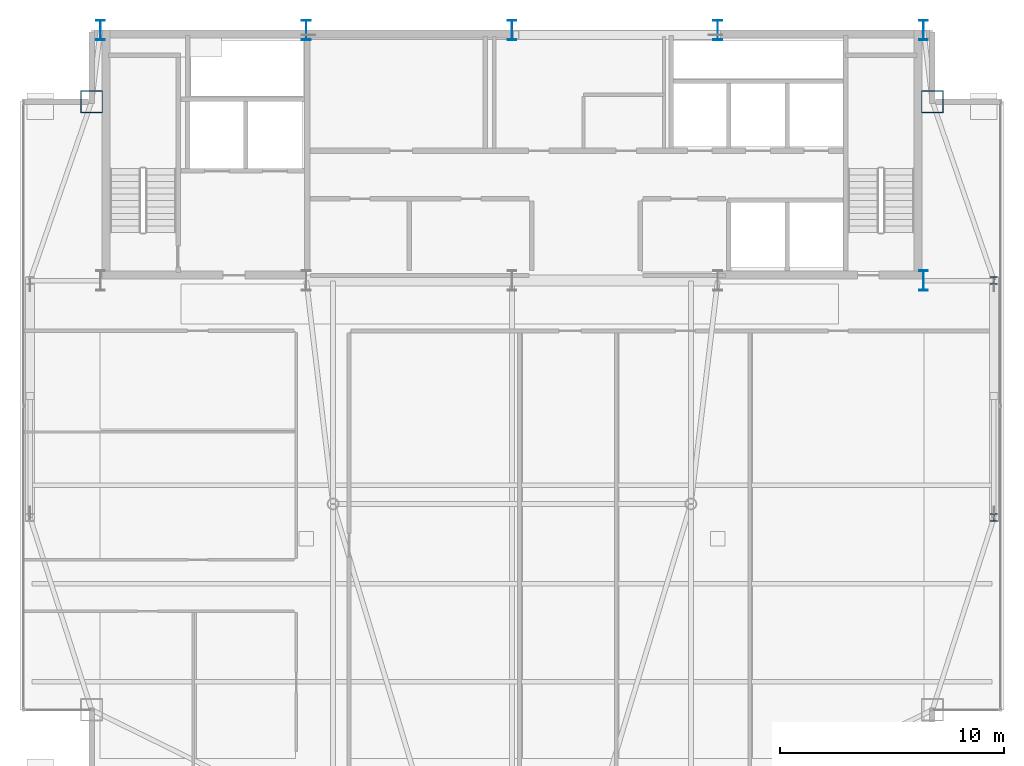
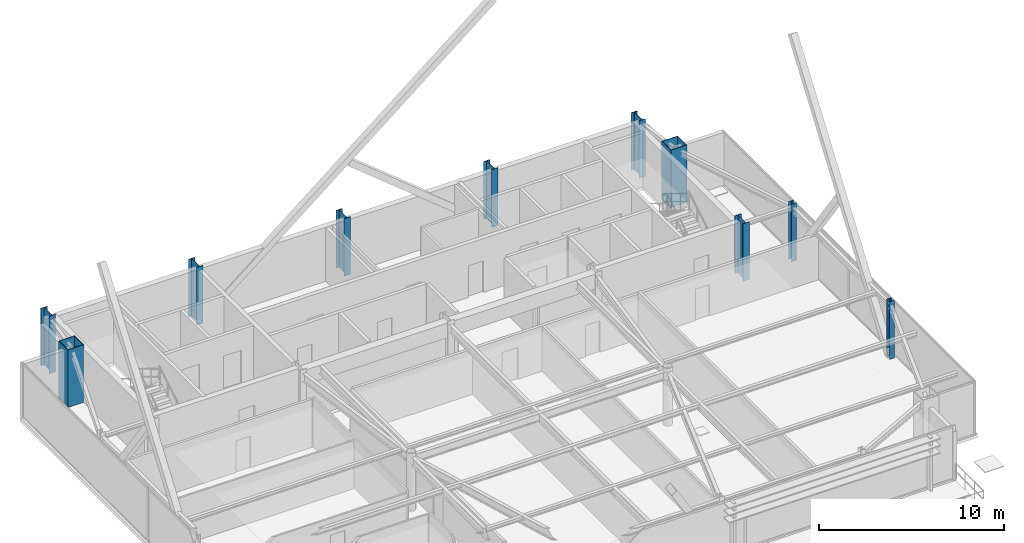
# One storey, part 2 of 25: 10 columns.
"""IFC4 building model written with IfcOpenShell, lengths in metres."""

from ifc_helpers import new_model, si_unit, direction, frame, origin, origin_2d, place, context, subcontext, project, spatial, hollow_rectangle, i_section, extrude, source, transform, mapped, material, material_profile, profile_set, type_object, type_shapes, element, save


model = new_model("IFC4")

# Units and contexts
model_context = context("Model", 3, precision=1e-05, world=origin(), true_north=direction((0.0, 1.0)))
body_context = subcontext(model_context, "Body", "Model", "MODEL_VIEW")
ifc_project = project(units=[si_unit("LENGTHUNIT", "METRE"), si_unit("AREAUNIT", "SQUARE_METRE"), si_unit("VOLUMEUNIT", "CUBIC_METRE"), si_unit("PLANEANGLEUNIT", "RADIAN"), si_unit("MASSUNIT", "GRAM", prefix="KILO")], contexts=[model_context])

# Site, building, storey
site_placement = place(None, origin())
site = spatial("IfcSite", under=ifc_project, at=site_placement, CompositionType="ELEMENT")
building_placement = place(site_placement, origin())
building = spatial("IfcBuilding", under=site, at=building_placement, Name="Varnel Quay Broadcast Tower", CompositionType="ELEMENT")
storey_placement = place(building_placement, frame((0.0, 0.0, 258.39990234375)))
storey = spatial("IfcBuildingStorey", under=building, at=storey_placement, Name="L64", CompositionType="ELEMENT", Elevation=258.39990234375)

# Columns
ifc_material_1 = material(Name="Structural Steel CSA G40.21 350WT", Category="steel")
ifc_material_profile_1 = material_profile(ifc_material_1, i_section(OverallWidth=0.39990234375, OverallDepth=0.89990234375, WebThickness=0.01611328125, FlangeThickness=0.028076171875, FilletRadius=0.01611328125, at=origin_2d()), Name="WWF900X309")
ifc_profile_set_1 = profile_set([ifc_material_profile_1], Name="Structural Steel CSA G40.21 350WT")
column_type_1 = type_object("IfcColumnType", Name="Col_WWF900X309", PredefinedType="COLUMN", material=ifc_profile_set_1)
shared_shape_1 = source(origin(), body_context, "Body", "SweptSolid", [
    extrude(i_section(OverallWidth=0.39990234375, OverallDepth=0.89990234375, WebThickness=0.01611328125, FlangeThickness=0.028076171875, FilletRadius=0.01611328125, at=origin_2d()), origin(), (0.0, 0.0, 1.0), 3.800048828125),
])
type_shapes(column_type_1, [shared_shape_1])
for number, where, z_axis, x_axis, name in (
    (1, (15.60009765625, 46.800048828125, 0.0), (0.0, 0.0, 1.0), (1.0, 0.0, 0.0), "L64 Column CC-N1"),
    (2, (24.800048828125, 46.800048828125, 0.0), (0.0, 0.0, 1.0), (1.0, 0.0, 0.0), "L64 Column CC-N2"),
    (3, (34.0, 46.800048828125, 0.0), (0.0, 0.0, 1.0), (1.0, 0.0, 0.0), "L64 Column CC-N3"),
    (4, (43.199951171875, 46.800048828125, 0.0), (0.0, 0.0, 1.0), (1.0, 0.0, 0.0), "L64 Column CC-N4"),
    (5, (52.39990234375, 35.60009765625, 0.0), (0.0, 0.0, 1.0), (1.0, 0.0, 0.0), "L64 Column CC-S5"),
    (6, (52.39990234375, 46.800048828125, 0.0), (0.0, 0.0, 1.0), (1.0, 0.0, 0.0), "L64 Column CC-N5"),
):
    element("IfcColumn", number, at=place(storey_placement, frame(where, z_axis=z_axis, x_axis=x_axis)), inside=storey, type_object=column_type_1, Name=name, PredefinedType="COLUMN", context=body_context, shape_type="MappedRepresentation", body=[
        mapped(shared_shape_1, transform((0.0, 0.0, 0.0), x_axis=(1.0, 0.0, 0.0), y_axis=(0.0, 1.0, 0.0), z_axis=(0.0, 0.0, 1.0), scale=1.0)),
    ])
ifc_material_profile_2 = material_profile(ifc_material_1, hollow_rectangle(XDim=1.0, YDim=1.0, WallThickness=0.0400390625, at=origin_2d()), Name="BOX1000X1000X40")
ifc_profile_set_2 = profile_set([ifc_material_profile_2], Name="Structural Steel CSA G40.21 350WT")
column_type_2 = type_object("IfcColumnType", Name="Col_BOX1000X1000X40", PredefinedType="COLUMN", material=ifc_profile_set_2)
shared_shape_2 = source(origin(), body_context, "Body", "SweptSolid", [
    extrude(hollow_rectangle(XDim=1.0, YDim=1.0, WallThickness=0.0400390625, at=origin_2d()), origin(), (0.0, 0.0, 1.0), 3.800048828125),
])
type_shapes(column_type_2, [shared_shape_2])
for number, where, z_axis, x_axis, name in (
    (7, (52.800048828125, 43.60009765625, 0.0), (0.0, 0.0, 1.0), (1.0, 0.0, 0.0), "L64 Column MC-NE"),
    (8, (15.199951171875, 43.60009765625, 0.0), (0.0, 0.0, 1.0), (1.0, 0.0, 0.0), "L64 Column MC-NW"),
):
    element("IfcColumn", number, at=place(storey_placement, frame(where, z_axis=z_axis, x_axis=x_axis)), inside=storey, type_object=column_type_2, Name=name, PredefinedType="COLUMN", context=body_context, shape_type="MappedRepresentation", body=[
        mapped(shared_shape_2, transform((0.0, 0.0, 0.0), x_axis=(1.0, 0.0, 0.0), y_axis=(0.0, 1.0, 0.0), z_axis=(0.0, 0.0, 1.0), scale=1.0)),
    ])
ifc_material_2 = material(Name="Structural Steel CSA G40.21 350W", Category="steel")
ifc_material_profile_3 = material_profile(ifc_material_2, i_section(OverallWidth=0.30908203125, OverallDepth=0.322998046875, WebThickness=0.013916015625, FlangeThickness=0.02294921875, FilletRadius=0.014892578125, at=origin_2d()), Name="W310X143")
ifc_profile_set_3 = profile_set([ifc_material_profile_3], Name="Structural Steel CSA G40.21 350W")
column_type_3 = type_object("IfcColumnType", Name="Col_W310X143", PredefinedType="COLUMN", material=ifc_profile_set_3)
shared_shape_3 = source(origin(), body_context, "Body", "SweptSolid", [
    extrude(i_section(OverallWidth=0.30908203125, OverallDepth=0.322998046875, WebThickness=0.013916015625, FlangeThickness=0.02294921875, FilletRadius=0.014892578125, at=origin_2d()), origin(), (0.0, 0.0, 1.0), 3.800048828125),
])
type_shapes(column_type_3, [shared_shape_3])
for number, where, z_axis, x_axis, name in (
    (9, (55.550048828125, 25.0, 0.0), (0.0, 0.0, 1.0), (1.0, 0.0, 0.0), "L64 Column TC-E1"),
    (10, (55.550048828125, 35.60009765625, 0.0), (0.0, 0.0, 1.0), (1.0, 0.0, 0.0), "L64 Column TC-E2"),
):
    element("IfcColumn", number, at=place(storey_placement, frame(where, z_axis=z_axis, x_axis=x_axis)), inside=storey, type_object=column_type_3, Name=name, PredefinedType="COLUMN", context=body_context, shape_type="MappedRepresentation", body=[
        mapped(shared_shape_3, transform((0.0, 0.0, 0.0), x_axis=(1.0, 0.0, 0.0), y_axis=(0.0, 1.0, 0.0), z_axis=(0.0, 0.0, 1.0), scale=1.0)),
    ])

save(model, "model.ifc")
